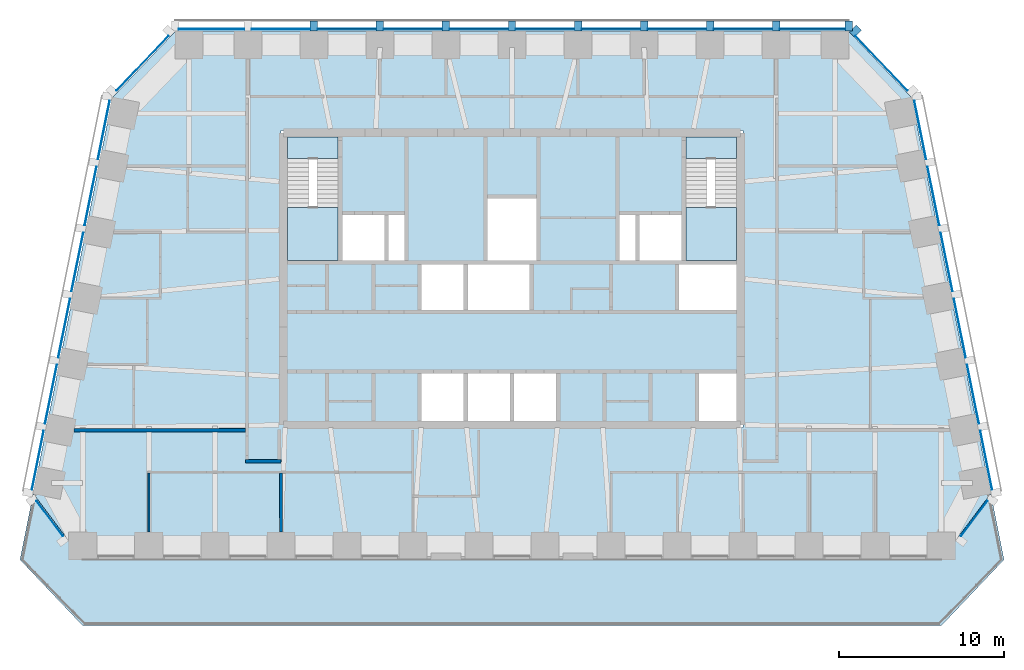
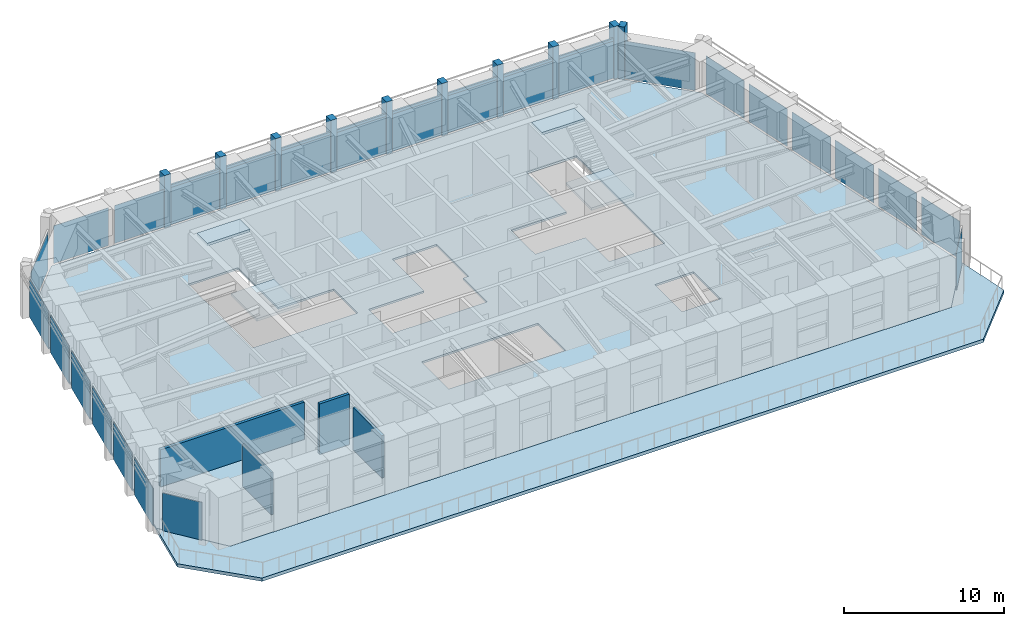
# One storey, part 3 of 10: 26 plates, 18 members, 6 slabs, 4 walls, 9 elements without a shape of their own.
"""IFC4 building model written with IfcOpenShell, lengths in metres."""

from ifc_helpers import new_model, si_unit, direction, frame, frame_2d, origin, origin_2d, place, context, subcontext, project, spatial, polyline, rectangle, outline, extrude, material, layer, layer_set, material_profile, profile_set, type_object, element, aggregate, save


model = new_model("IFC4")

# Units and contexts
model_context = context("Model", 3, precision=1e-05, world=origin(), true_north=direction((0.0, 1.0)))
body_context = subcontext(model_context, "Body", "Model", "MODEL_VIEW")
ifc_project = project(units=[si_unit("LENGTHUNIT", "METRE"), si_unit("AREAUNIT", "SQUARE_METRE"), si_unit("VOLUMEUNIT", "CUBIC_METRE"), si_unit("PLANEANGLEUNIT", "RADIAN"), si_unit("MASSUNIT", "GRAM", prefix="KILO")], contexts=[model_context])

# Site, building, storey
site_placement = place(None, origin())
site = spatial("IfcSite", under=ifc_project, at=site_placement, CompositionType="ELEMENT")
building_placement = place(site_placement, origin())
building = spatial("IfcBuilding", under=site, at=building_placement, Name="Isbrekke Arena Tower", CompositionType="ELEMENT")
storey_placement = place(building_placement, frame((0.0, 0.0, 296.0)))
storey = spatial("IfcBuildingStorey", under=building, at=storey_placement, Name="L69", CompositionType="ELEMENT", Elevation=296.0)

# Curtain wall, member
ifc_material_1 = material(Name="Glazed aluminium curtain wall", Category="aluminium")
curtain_wall_type = type_object("IfcCurtainWallType", Name="CWT TOWER CURTAIN WALL TOP ZONE", PredefinedType="USERDEFINED", material=ifc_material_1)
curtain_wall_1_placement = place(storey_placement, origin())
curtain_wall_1 = element("IfcCurtainWall", 1, at=curtain_wall_1_placement, inside=storey, type_object=curtain_wall_type, Name="CWT curtain wall L69-EN", ObjectType="TOWER CURTAIN WALL TOP ZONE", PredefinedType="USERDEFINED")
ifc_material_2 = material(Name="Copper-clad aluminium mullion", Category="aluminium")
ifc_material_profile_1 = material_profile(ifc_material_2, rectangle(XDim=0.449951171875, YDim=0.60009765625, at=origin_2d()), Name="PIER 450X600")
ifc_profile_set_1 = profile_set([ifc_material_profile_1], Name="Copper-clad aluminium mullion")
member_type_1 = type_object("IfcMemberType", Name="CWT-M PIER MULLION 450 x 600", PredefinedType="MULLION", material=ifc_profile_set_1)
member_1_placement = place(storey_placement, frame((20.795166015625, 30.019775390625, 0.0), z_axis=(0.0, 0.0, 1.0), x_axis=(-0.68874946192, 0.72499943359, 0.0)))
member_1 = element("IfcMember", 2, at=member_1_placement, type_object=member_type_1, Name="CWT-M mullion 2", PredefinedType="MULLION", context=body_context, shape_type="SweptSolid", body=[
    extrude(rectangle(XDim=0.449951171875, YDim=0.60009765625, at=origin_2d()), origin(), (0.0, 0.0, 1.0), 4.0),
])

# Curtain wall, members
curtain_wall_2_placement = place(storey_placement, origin())
curtain_wall_2 = element("IfcCurtainWall", 3, at=curtain_wall_2_placement, inside=storey, type_object=curtain_wall_type, Name="CWT curtain wall L69-N", ObjectType="TOWER CURTAIN WALL TOP ZONE", PredefinedType="USERDEFINED")
member_2_placement = place(storey_placement, frame((20.39990234375, 30.324951171875, 0.0), z_axis=(0.0, 0.0, 1.0), x_axis=(-1.0, 0.0, 0.0)))
member_2 = element("IfcMember", 4, at=member_2_placement, type_object=member_type_1, Name="CWT-M mullion 1", PredefinedType="MULLION", context=body_context, shape_type="SweptSolid", body=[
    extrude(rectangle(XDim=0.449951171875, YDim=0.60009765625, at=origin_2d()), origin(), (0.0, 0.0, 1.0), 4.0),
])
member_3_placement = place(storey_placement, frame((16.0, 30.324951171875, 0.0), z_axis=(0.0, 0.0, 1.0), x_axis=(-1.0, 0.0, 0.0)))
member_3 = element("IfcMember", 5, at=member_3_placement, type_object=member_type_1, Name="CWT-M mullion 2", PredefinedType="MULLION", context=body_context, shape_type="SweptSolid", body=[
    extrude(rectangle(XDim=0.449951171875, YDim=0.60009765625, at=origin_2d()), origin(), (0.0, 0.0, 1.0), 4.0),
])
member_4_placement = place(storey_placement, frame((12.0, 30.324951171875, 0.0), z_axis=(0.0, 0.0, 1.0), x_axis=(-1.0, 0.0, 0.0)))
member_4 = element("IfcMember", 6, at=member_4_placement, type_object=member_type_1, Name="CWT-M mullion 3", PredefinedType="MULLION", context=body_context, shape_type="SweptSolid", body=[
    extrude(rectangle(XDim=0.449951171875, YDim=0.60009765625, at=origin_2d()), origin(), (0.0, 0.0, 1.0), 4.0),
])
member_5_placement = place(storey_placement, frame((8.0, 30.324951171875, 0.0), z_axis=(0.0, 0.0, 1.0), x_axis=(-1.0, 0.0, 0.0)))
member_5 = element("IfcMember", 7, at=member_5_placement, type_object=member_type_1, Name="CWT-M mullion 4", PredefinedType="MULLION", context=body_context, shape_type="SweptSolid", body=[
    extrude(rectangle(XDim=0.449951171875, YDim=0.60009765625, at=origin_2d()), origin(), (0.0, 0.0, 1.0), 4.0),
])
member_6_placement = place(storey_placement, frame((4.0, 30.324951171875, 0.0), z_axis=(0.0, 0.0, 1.0), x_axis=(-1.0, 0.0, 0.0)))
member_6 = element("IfcMember", 8, at=member_6_placement, type_object=member_type_1, Name="CWT-M mullion 5", PredefinedType="MULLION", context=body_context, shape_type="SweptSolid", body=[
    extrude(rectangle(XDim=0.449951171875, YDim=0.60009765625, at=origin_2d()), origin(), (0.0, 0.0, 1.0), 4.0),
])
member_7_placement = place(storey_placement, frame((0.0, 30.324951171875, 0.0), z_axis=(0.0, 0.0, 1.0), x_axis=(-1.0, 0.0, 0.0)))
member_7 = element("IfcMember", 9, at=member_7_placement, type_object=member_type_1, Name="CWT-M mullion 6", PredefinedType="MULLION", context=body_context, shape_type="SweptSolid", body=[
    extrude(rectangle(XDim=0.449951171875, YDim=0.60009765625, at=origin_2d()), origin(), (0.0, 0.0, 1.0), 4.0),
])
member_8_placement = place(storey_placement, frame((-4.0, 30.324951171875, 0.0), z_axis=(0.0, 0.0, 1.0), x_axis=(-1.0, 0.0, 0.0)))
member_8 = element("IfcMember", 10, at=member_8_placement, type_object=member_type_1, Name="CWT-M mullion 7", PredefinedType="MULLION", context=body_context, shape_type="SweptSolid", body=[
    extrude(rectangle(XDim=0.449951171875, YDim=0.60009765625, at=origin_2d()), origin(), (0.0, 0.0, 1.0), 4.0),
])
member_9_placement = place(storey_placement, frame((-8.0, 30.324951171875, 0.0), z_axis=(0.0, 0.0, 1.0), x_axis=(-1.0, 0.0, 0.0)))
member_9 = element("IfcMember", 11, at=member_9_placement, type_object=member_type_1, Name="CWT-M mullion 8", PredefinedType="MULLION", context=body_context, shape_type="SweptSolid", body=[
    extrude(rectangle(XDim=0.449951171875, YDim=0.60009765625, at=origin_2d()), origin(), (0.0, 0.0, 1.0), 4.0),
])
member_10_placement = place(storey_placement, frame((-12.0, 30.324951171875, 0.0), z_axis=(0.0, 0.0, 1.0), x_axis=(-1.0, 0.0, 0.0)))
member_10 = element("IfcMember", 12, at=member_10_placement, type_object=member_type_1, Name="CWT-M mullion 9", PredefinedType="MULLION", context=body_context, shape_type="SweptSolid", body=[
    extrude(rectangle(XDim=0.449951171875, YDim=0.60009765625, at=origin_2d()), origin(), (0.0, 0.0, 1.0), 4.0),
])
ifc_material_3 = material(Name="Aluminium transom", Category="aluminium")
ifc_material_profile_2 = material_profile(ifc_material_3, rectangle(XDim=0.1201171875, YDim=0.199951171875, at=origin_2d()), Name="TRANSOM 120X200")
ifc_profile_set_2 = profile_set([ifc_material_profile_2], Name="Aluminium transom")
member_type_2 = type_object("IfcMemberType", Name="CWT-T TRANSOM 120 x 200", PredefinedType="USERDEFINED", material=ifc_profile_set_2)
member_11_placement = place(storey_placement, frame((20.175048828125, 30.125, 3.0), z_axis=(-1.0, 0.0, 0.0), x_axis=(0.0, -1.0, 0.0)))
member_11 = element("IfcMember", 13, at=member_11_placement, type_object=member_type_2, Name="CWT-T transom 1", ObjectType="TRANSOM", PredefinedType="USERDEFINED", context=body_context, shape_type="SweptSolid", body=[
    extrude(rectangle(XDim=0.1201171875, YDim=0.199951171875, at=origin_2d()), origin(), (0.0, 0.0, 1.0), 3.949951171875),
])
member_12_placement = place(storey_placement, frame((15.77490234375, 30.125, 3.0), z_axis=(-1.0, 0.0, 0.0), x_axis=(0.0, -1.0, 0.0)))
member_12 = element("IfcMember", 14, at=member_12_placement, type_object=member_type_2, Name="CWT-T transom 2", ObjectType="TRANSOM", PredefinedType="USERDEFINED", context=body_context, shape_type="SweptSolid", body=[
    extrude(rectangle(XDim=0.1201171875, YDim=0.199951171875, at=origin_2d()), origin(), (0.0, 0.0, 1.0), 3.5498046875),
])
member_13_placement = place(storey_placement, frame((11.77490234375, 30.125, 3.0), z_axis=(-1.0, 0.0, 0.0), x_axis=(0.0, -1.0, 0.0)))
member_13 = element("IfcMember", 15, at=member_13_placement, type_object=member_type_2, Name="CWT-T transom 3", ObjectType="TRANSOM", PredefinedType="USERDEFINED", context=body_context, shape_type="SweptSolid", body=[
    extrude(rectangle(XDim=0.1201171875, YDim=0.199951171875, at=origin_2d()), origin(), (0.0, 0.0, 1.0), 3.5498046875),
])
member_14_placement = place(storey_placement, frame((7.77490234375, 30.125, 3.0), z_axis=(-1.0, 0.0, 0.0), x_axis=(0.0, -1.0, 0.0)))
member_14 = element("IfcMember", 16, at=member_14_placement, type_object=member_type_2, Name="CWT-T transom 4", ObjectType="TRANSOM", PredefinedType="USERDEFINED", context=body_context, shape_type="SweptSolid", body=[
    extrude(rectangle(XDim=0.1201171875, YDim=0.199951171875, at=origin_2d()), origin(), (0.0, 0.0, 1.0), 3.5498046875),
])
member_15_placement = place(storey_placement, frame((3.77490234375, 30.125, 3.0), z_axis=(-1.0, 0.0, 0.0), x_axis=(0.0, -1.0, 0.0)))
member_15 = element("IfcMember", 17, at=member_15_placement, type_object=member_type_2, Name="CWT-T transom 5", ObjectType="TRANSOM", PredefinedType="USERDEFINED", context=body_context, shape_type="SweptSolid", body=[
    extrude(rectangle(XDim=0.1201171875, YDim=0.199951171875, at=origin_2d()), origin(), (0.0, 0.0, 1.0), 3.5498046875),
])
member_16_placement = place(storey_placement, frame((-0.22509765625, 30.125, 3.0), z_axis=(-1.0, 0.0, 0.0), x_axis=(0.0, -1.0, 0.0)))
member_16 = element("IfcMember", 18, at=member_16_placement, type_object=member_type_2, Name="CWT-T transom 6", ObjectType="TRANSOM", PredefinedType="USERDEFINED", context=body_context, shape_type="SweptSolid", body=[
    extrude(rectangle(XDim=0.1201171875, YDim=0.199951171875, at=origin_2d()), origin(), (0.0, 0.0, 1.0), 3.5498046875),
])
member_17_placement = place(storey_placement, frame((-4.22509765625, 30.125, 3.0), z_axis=(-1.0, 0.0, 0.0), x_axis=(0.0, -1.0, 0.0)))
member_17 = element("IfcMember", 19, at=member_17_placement, type_object=member_type_2, Name="CWT-T transom 7", ObjectType="TRANSOM", PredefinedType="USERDEFINED", context=body_context, shape_type="SweptSolid", body=[
    extrude(rectangle(XDim=0.1201171875, YDim=0.199951171875, at=origin_2d()), origin(), (0.0, 0.0, 1.0), 3.5498046875),
])
member_18_placement = place(storey_placement, frame((-8.22509765625, 30.125, 3.0), z_axis=(-1.0, 0.0, 0.0), x_axis=(0.0, -1.0, 0.0)))
member_18 = element("IfcMember", 20, at=member_18_placement, type_object=member_type_2, Name="CWT-T transom 8", ObjectType="TRANSOM", PredefinedType="USERDEFINED", context=body_context, shape_type="SweptSolid", body=[
    extrude(rectangle(XDim=0.1201171875, YDim=0.199951171875, at=origin_2d()), origin(), (0.0, 0.0, 1.0), 3.5498046875),
])

# Curtain wall, plate
curtain_wall_3_placement = place(storey_placement, origin())
curtain_wall_3 = element("IfcCurtainWall", 21, at=curtain_wall_3_placement, inside=storey, type_object=curtain_wall_type, Name="CWT curtain wall L69-SE", ObjectType="TOWER CURTAIN WALL TOP ZONE", PredefinedType="USERDEFINED")
ifc_material_4 = material(Name="Triple-glazed clear glass unit", Category="glass")
ifc_layer_1 = layer(ifc_material_4, 0.031982421875)
ifc_layer_set_1 = layer_set([ifc_layer_1], Name="CWT-P VISION PANEL")
plate_type = type_object("IfcPlateType", Name="CWT-P VISION PANEL", PredefinedType="CURTAIN_PANEL", material=ifc_layer_set_1)
plate_1_placement = place(storey_placement, frame((27.993896484375, 0.49169921875, 0.02001953125), z_axis=(0.0, 0.0, 1.0), x_axis=(0.600000000002, 0.799999999998, 0.0)))
plate_1 = element("IfcPlate", 22, at=plate_1_placement, type_object=plate_type, Name="CWT-P panel 1", PredefinedType="CURTAIN_PANEL", context=body_context, shape_type="SweptSolid", body=[
    extrude(rectangle(XDim=2.65283203125, YDim=0.031982421875, at=origin_2d()), origin(), (0.0, 0.0, 1.0), 2.8798828125),
])
aggregate(curtain_wall_3, [plate_1])

# Curtain wall, plates
curtain_wall_4_placement = place(storey_placement, origin())
curtain_wall_4 = element("IfcCurtainWall", 23, at=curtain_wall_4_placement, inside=storey, type_object=curtain_wall_type, Name="CWT curtain wall L69-E", ObjectType="TOWER CURTAIN WALL TOP ZONE", PredefinedType="USERDEFINED")
plate_2_placement = place(storey_placement, frame((28.72265625, 4.0244140625, 0.02001953125), z_axis=(0.0, 0.0, 1.0), x_axis=(-0.196116135138, 0.980580675691, 0.0)))
plate_2 = element("IfcPlate", 24, at=plate_2_placement, type_object=plate_type, Name="CWT-P panel 1", PredefinedType="CURTAIN_PANEL", context=body_context, shape_type="SweptSolid", body=[
    extrude(rectangle(XDim=3.629150390625, YDim=0.031982421875, at=origin_2d()), origin(), (0.0, 0.0, 1.0), 2.8798828125),
])
plate_3_placement = place(storey_placement, frame((27.922607421875, 8.0244140625, 0.02001953125), z_axis=(0.0, 0.0, 1.0), x_axis=(-0.196116135138, 0.980580675691, 0.0)))
plate_3 = element("IfcPlate", 25, at=plate_3_placement, type_object=plate_type, Name="CWT-P panel 2", PredefinedType="CURTAIN_PANEL", context=body_context, shape_type="SweptSolid", body=[
    extrude(rectangle(XDim=3.629150390625, YDim=0.031982421875, at=origin_2d()), origin(), (0.0, 0.0, 1.0), 2.8798828125),
])
plate_4_placement = place(storey_placement, frame((27.12255859375, 12.0244140625, 0.02001953125), z_axis=(0.0, 0.0, 1.0), x_axis=(-0.196116135138, 0.980580675691, 0.0)))
plate_4 = element("IfcPlate", 26, at=plate_4_placement, type_object=plate_type, Name="CWT-P panel 3", PredefinedType="CURTAIN_PANEL", context=body_context, shape_type="SweptSolid", body=[
    extrude(rectangle(XDim=3.629150390625, YDim=0.031982421875, at=origin_2d()), origin(), (0.0, 0.0, 1.0), 2.8798828125),
])
plate_5_placement = place(storey_placement, frame((26.322509765625, 16.0244140625, 0.02001953125), z_axis=(0.0, 0.0, 1.0), x_axis=(-0.196116135138, 0.980580675691, 0.0)))
plate_5 = element("IfcPlate", 27, at=plate_5_placement, type_object=plate_type, Name="CWT-P panel 4", PredefinedType="CURTAIN_PANEL", context=body_context, shape_type="SweptSolid", body=[
    extrude(rectangle(XDim=3.629150390625, YDim=0.031982421875, at=origin_2d()), origin(), (0.0, 0.0, 1.0), 2.8798828125),
])
plate_6_placement = place(storey_placement, frame((25.5224609375, 20.0244140625, 0.02001953125), z_axis=(0.0, 0.0, 1.0), x_axis=(-0.196116135138, 0.980580675691, 0.0)))
plate_6 = element("IfcPlate", 28, at=plate_6_placement, type_object=plate_type, Name="CWT-P panel 5", PredefinedType="CURTAIN_PANEL", context=body_context, shape_type="SweptSolid", body=[
    extrude(rectangle(XDim=3.629150390625, YDim=0.031982421875, at=origin_2d()), origin(), (0.0, 0.0, 1.0), 2.8798828125),
])
plate_7_placement = place(storey_placement, frame((24.72265625, 24.0244140625, 0.02001953125), z_axis=(0.0, 0.0, 1.0), x_axis=(-0.196116135138, 0.980580675691, 0.0)))
plate_7 = element("IfcPlate", 29, at=plate_7_placement, type_object=plate_type, Name="CWT-P panel 6", PredefinedType="CURTAIN_PANEL", context=body_context, shape_type="SweptSolid", body=[
    extrude(rectangle(XDim=3.629150390625, YDim=0.031982421875, at=origin_2d()), origin(), (0.0, 0.0, 1.0), 2.8798828125),
])
aggregate(curtain_wall_4, [plate_2, plate_3, plate_4, plate_5, plate_6, plate_7])

# Plate
plate_8_placement = place(storey_placement, frame((22.374755859375, 28.06640625, 0.02001953125), z_axis=(0.0, 0.0, 1.0), x_axis=(-0.68874946192, 0.72499943359, 0.0)))
plate_8 = element("IfcPlate", 30, at=plate_8_placement, type_object=plate_type, Name="CWT-P panel 1", PredefinedType="CURTAIN_PANEL", context=body_context, shape_type="SweptSolid", body=[
    extrude(rectangle(XDim=4.558349609375, YDim=0.031982421875, at=origin_2d()), origin(), (0.0, 0.0, 1.0), 2.8798828125),
])

aggregate(curtain_wall_1, [member_1, plate_8])

plate_9_placement = place(storey_placement, frame((18.199951171875, 30.125, 0.02001953125), z_axis=(0.0, 0.0, 1.0), x_axis=(-1.0, 0.0, 0.0)))
plate_9 = element("IfcPlate", 31, at=plate_9_placement, type_object=plate_type, Name="CWT-P panel 1", PredefinedType="CURTAIN_PANEL", context=body_context, shape_type="SweptSolid", body=[
    extrude(rectangle(XDim=3.949951171875, YDim=0.031982421875, at=origin_2d()), origin(), (0.0, 0.0, 1.0), 2.8798828125),
])

plate_10_placement = place(storey_placement, frame((14.0, 30.125, 0.02001953125), z_axis=(0.0, 0.0, 1.0), x_axis=(-1.0, 0.0, 0.0)))
plate_10 = element("IfcPlate", 32, at=plate_10_placement, type_object=plate_type, Name="CWT-P panel 2", PredefinedType="CURTAIN_PANEL", context=body_context, shape_type="SweptSolid", body=[
    extrude(rectangle(XDim=3.550048828125, YDim=0.031982421875, at=origin_2d()), origin(), (0.0, 0.0, 1.0), 2.8798828125),
])

plate_11_placement = place(storey_placement, frame((10.0, 30.125, 0.02001953125), z_axis=(0.0, 0.0, 1.0), x_axis=(-1.0, 0.0, 0.0)))
plate_11 = element("IfcPlate", 33, at=plate_11_placement, type_object=plate_type, Name="CWT-P panel 3", PredefinedType="CURTAIN_PANEL", context=body_context, shape_type="SweptSolid", body=[
    extrude(rectangle(XDim=3.550048828125, YDim=0.031982421875, at=origin_2d()), origin(), (0.0, 0.0, 1.0), 2.8798828125),
])

plate_12_placement = place(storey_placement, frame((6.0, 30.125, 0.02001953125), z_axis=(0.0, 0.0, 1.0), x_axis=(-1.0, 0.0, 0.0)))
plate_12 = element("IfcPlate", 34, at=plate_12_placement, type_object=plate_type, Name="CWT-P panel 4", PredefinedType="CURTAIN_PANEL", context=body_context, shape_type="SweptSolid", body=[
    extrude(rectangle(XDim=3.550048828125, YDim=0.031982421875, at=origin_2d()), origin(), (0.0, 0.0, 1.0), 2.8798828125),
])

plate_13_placement = place(storey_placement, frame((2.0, 30.125, 0.02001953125), z_axis=(0.0, 0.0, 1.0), x_axis=(-1.0, 0.0, 0.0)))
plate_13 = element("IfcPlate", 35, at=plate_13_placement, type_object=plate_type, Name="CWT-P panel 5", PredefinedType="CURTAIN_PANEL", context=body_context, shape_type="SweptSolid", body=[
    extrude(rectangle(XDim=3.550048828125, YDim=0.031982421875, at=origin_2d()), origin(), (0.0, 0.0, 1.0), 2.8798828125),
])

plate_14_placement = place(storey_placement, frame((-2.0, 30.125, 0.02001953125), z_axis=(0.0, 0.0, 1.0), x_axis=(-1.0, 0.0, 0.0)))
plate_14 = element("IfcPlate", 36, at=plate_14_placement, type_object=plate_type, Name="CWT-P panel 6", PredefinedType="CURTAIN_PANEL", context=body_context, shape_type="SweptSolid", body=[
    extrude(rectangle(XDim=3.550048828125, YDim=0.031982421875, at=origin_2d()), origin(), (0.0, 0.0, 1.0), 2.8798828125),
])

plate_15_placement = place(storey_placement, frame((-6.0, 30.125, 0.02001953125), z_axis=(0.0, 0.0, 1.0), x_axis=(-1.0, 0.0, 0.0)))
plate_15 = element("IfcPlate", 37, at=plate_15_placement, type_object=plate_type, Name="CWT-P panel 7", PredefinedType="CURTAIN_PANEL", context=body_context, shape_type="SweptSolid", body=[
    extrude(rectangle(XDim=3.550048828125, YDim=0.031982421875, at=origin_2d()), origin(), (0.0, 0.0, 1.0), 2.8798828125),
])

plate_16_placement = place(storey_placement, frame((-10.0, 30.125, 0.02001953125), z_axis=(0.0, 0.0, 1.0), x_axis=(-1.0, 0.0, 0.0)))
plate_16 = element("IfcPlate", 38, at=plate_16_placement, type_object=plate_type, Name="CWT-P panel 8", PredefinedType="CURTAIN_PANEL", context=body_context, shape_type="SweptSolid", body=[
    extrude(rectangle(XDim=3.550048828125, YDim=0.031982421875, at=origin_2d()), origin(), (0.0, 0.0, 1.0), 2.8798828125),
])

plate_17_placement = place(storey_placement, frame((-14.0, 30.125, 0.02001953125), z_axis=(0.0, 0.0, 1.0), x_axis=(-1.0, 0.0, 0.0)))
plate_17 = element("IfcPlate", 39, at=plate_17_placement, type_object=plate_type, Name="CWT-P panel 9", PredefinedType="CURTAIN_PANEL", context=body_context, shape_type="SweptSolid", body=[
    extrude(rectangle(XDim=3.550048828125, YDim=0.031982421875, at=origin_2d()), origin(), (0.0, 0.0, 1.0), 2.8798828125),
])

plate_18_placement = place(storey_placement, frame((-18.199951171875, 30.125, 0.02001953125), z_axis=(0.0, 0.0, 1.0), x_axis=(-1.0, 0.0, 0.0)))
plate_18 = element("IfcPlate", 40, at=plate_18_placement, type_object=plate_type, Name="CWT-P panel 10", PredefinedType="CURTAIN_PANEL", context=body_context, shape_type="SweptSolid", body=[
    extrude(rectangle(XDim=3.949951171875, YDim=0.031982421875, at=origin_2d()), origin(), (0.0, 0.0, 1.0), 2.8798828125),
])

aggregate(curtain_wall_2, [member_2, member_3, member_4, member_5, member_6, member_7, member_8, member_9, member_10, member_11, plate_9, member_12, plate_10, member_13, plate_11, member_14, plate_12, member_15, plate_13, member_16, plate_14, member_17, plate_15, member_18, plate_16, plate_17, plate_18])

# Curtain wall, plate
curtain_wall_5_placement = place(storey_placement, origin())
curtain_wall_5 = element("IfcCurtainWall", 41, at=curtain_wall_5_placement, inside=storey, type_object=curtain_wall_type, Name="CWT curtain wall L69-NW", ObjectType="TOWER CURTAIN WALL TOP ZONE", PredefinedType="USERDEFINED")
plate_19_placement = place(storey_placement, frame((-22.37451171875, 28.066650390625, 0.02001953125), z_axis=(0.0, 0.0, 1.0), x_axis=(-0.68874946192, -0.72499943359, 0.0)))
plate_19 = element("IfcPlate", 42, at=plate_19_placement, type_object=plate_type, Name="CWT-P panel 1", PredefinedType="CURTAIN_PANEL", context=body_context, shape_type="SweptSolid", body=[
    extrude(rectangle(XDim=4.557373046875, YDim=0.031982421875, at=origin_2d()), origin(), (0.0, 0.0, 1.0), 2.8798828125),
])
aggregate(curtain_wall_5, [plate_19])

# Curtain wall, plates
curtain_wall_6_placement = place(storey_placement, origin())
curtain_wall_6 = element("IfcCurtainWall", 43, at=curtain_wall_6_placement, inside=storey, type_object=curtain_wall_type, Name="CWT curtain wall L69-W", ObjectType="TOWER CURTAIN WALL TOP ZONE", PredefinedType="USERDEFINED")
plate_20_placement = place(storey_placement, frame((-24.72265625, 24.0244140625, 0.02001953125), z_axis=(0.0, 0.0, 1.0), x_axis=(-0.196116135138, -0.980580675691, 0.0)))
plate_20 = element("IfcPlate", 44, at=plate_20_placement, type_object=plate_type, Name="CWT-P panel 1", PredefinedType="CURTAIN_PANEL", context=body_context, shape_type="SweptSolid", body=[
    extrude(rectangle(XDim=3.629150390625, YDim=0.031982421875, at=origin_2d()), origin(), (0.0, 0.0, 1.0), 2.8798828125),
])
plate_21_placement = place(storey_placement, frame((-25.5224609375, 20.0244140625, 0.02001953125), z_axis=(0.0, 0.0, 1.0), x_axis=(-0.196116135138, -0.980580675691, 0.0)))
plate_21 = element("IfcPlate", 45, at=plate_21_placement, type_object=plate_type, Name="CWT-P panel 2", PredefinedType="CURTAIN_PANEL", context=body_context, shape_type="SweptSolid", body=[
    extrude(rectangle(XDim=3.629150390625, YDim=0.031982421875, at=origin_2d()), origin(), (0.0, 0.0, 1.0), 2.8798828125),
])
plate_22_placement = place(storey_placement, frame((-26.322509765625, 16.0244140625, 0.02001953125), z_axis=(0.0, 0.0, 1.0), x_axis=(-0.196116135138, -0.980580675691, 0.0)))
plate_22 = element("IfcPlate", 46, at=plate_22_placement, type_object=plate_type, Name="CWT-P panel 3", PredefinedType="CURTAIN_PANEL", context=body_context, shape_type="SweptSolid", body=[
    extrude(rectangle(XDim=3.629150390625, YDim=0.031982421875, at=origin_2d()), origin(), (0.0, 0.0, 1.0), 2.8798828125),
])
plate_23_placement = place(storey_placement, frame((-27.12255859375, 12.0244140625, 0.02001953125), z_axis=(0.0, 0.0, 1.0), x_axis=(-0.196116135138, -0.980580675691, 0.0)))
plate_23 = element("IfcPlate", 47, at=plate_23_placement, type_object=plate_type, Name="CWT-P panel 4", PredefinedType="CURTAIN_PANEL", context=body_context, shape_type="SweptSolid", body=[
    extrude(rectangle(XDim=3.629150390625, YDim=0.031982421875, at=origin_2d()), origin(), (0.0, 0.0, 1.0), 2.8798828125),
])
plate_24_placement = place(storey_placement, frame((-27.922607421875, 8.0244140625, 0.02001953125), z_axis=(0.0, 0.0, 1.0), x_axis=(-0.196116135138, -0.980580675691, 0.0)))
plate_24 = element("IfcPlate", 48, at=plate_24_placement, type_object=plate_type, Name="CWT-P panel 5", PredefinedType="CURTAIN_PANEL", context=body_context, shape_type="SweptSolid", body=[
    extrude(rectangle(XDim=3.629150390625, YDim=0.031982421875, at=origin_2d()), origin(), (0.0, 0.0, 1.0), 2.8798828125),
])
plate_25_placement = place(storey_placement, frame((-28.72265625, 4.0244140625, 0.02001953125), z_axis=(0.0, 0.0, 1.0), x_axis=(-0.196116135138, -0.980580675691, 0.0)))
plate_25 = element("IfcPlate", 49, at=plate_25_placement, type_object=plate_type, Name="CWT-P panel 6", PredefinedType="CURTAIN_PANEL", context=body_context, shape_type="SweptSolid", body=[
    extrude(rectangle(XDim=3.629150390625, YDim=0.031982421875, at=origin_2d()), origin(), (0.0, 0.0, 1.0), 2.8798828125),
])
aggregate(curtain_wall_6, [plate_20, plate_21, plate_22, plate_23, plate_24, plate_25])

# Curtain wall, plate
curtain_wall_7_placement = place(storey_placement, origin())
curtain_wall_7 = element("IfcCurtainWall", 50, at=curtain_wall_7_placement, inside=storey, type_object=curtain_wall_type, Name="CWT curtain wall L69-WS", ObjectType="TOWER CURTAIN WALL TOP ZONE", PredefinedType="USERDEFINED")
plate_26_placement = place(storey_placement, frame((-27.993408203125, 0.4912109375, 0.02001953125), z_axis=(0.0, 0.0, 1.0), x_axis=(0.600000000002, -0.799999999998, 0.0)))
plate_26 = element("IfcPlate", 51, at=plate_26_placement, type_object=plate_type, Name="CWT-P panel 1", PredefinedType="CURTAIN_PANEL", context=body_context, shape_type="SweptSolid", body=[
    extrude(rectangle(XDim=2.653564453125, YDim=0.031982421875, at=origin_2d()), origin(), (0.0, 0.0, 1.0), 2.8798828125),
])
aggregate(curtain_wall_7, [plate_26])

# Slab
ifc_material_5 = material(Name="Concrete B35 (C35/45)", Category="concrete")
ifc_layer_2 = layer(ifc_material_5, 0.14990234375)
ifc_layer_set_2 = layer_set([ifc_layer_2], Name="FS1 COMPOSITE FLOOR 150")
slab_type_1 = type_object("IfcSlabType", Name="FS1 COMPOSITE FLOOR 150", PredefinedType="FLOOR", material=ifc_layer_set_2)
slab_1_placement = place(storey_placement, frame((0.0, 0.0, -0.14990234375)))
element("IfcSlab", 52, at=slab_1_placement, inside=storey, type_object=slab_type_1, Name="FS1 floor slab L69", PredefinedType="FLOOR", context=body_context, shape_type="SweptSolid", body=[
    extrude(outline(polyline([(-26.0, -2.0), (26.0, -2.0), (29.0, 2.0), (24.199951171875, 26.0), (20.39990234375, 30.0), (-20.39990234375, 30.0), (-24.199951171875, 26.0), (-29.0, 2.0), (-26.0, -2.0)]), holes=[polyline([(2.800048828125, 9.39990234375), (2.800048828125, 6.0), (-5.60009765625, 6.0), (-5.60009765625, 9.39990234375), (2.800048828125, 9.39990234375)]), polyline([(11.199951171875, 6.0), (11.199951171875, 9.39990234375), (14.0, 9.39990234375), (14.0, 6.0), (11.199951171875, 6.0)]), polyline([(-5.60009765625, 13.0), (-5.60009765625, 16.0), (-1.60009765625, 16.0), (-1.60009765625, 20.0), (1.60009765625, 20.0), (1.60009765625, 16.0), (1.199951171875, 16.0), (1.199951171875, 13.0), (-5.60009765625, 13.0)]), polyline([(14.0, 13.0), (10.0, 13.0), (10.0, 16.0), (6.39990234375, 16.0), (6.39990234375, 19.0), (10.39990234375, 19.0), (10.39990234375, 24.0), (14.0, 24.0), (14.0, 13.0)]), polyline([(-6.39990234375, 19.0), (-6.39990234375, 16.0), (-14.0, 16.0), (-14.0, 24.0), (-10.39990234375, 24.0), (-10.39990234375, 19.0), (-6.39990234375, 19.0)])]), origin(), (0.0, 0.0, 1.0), 0.14990234375),
])

# Stair, slabs
ifc_material_6 = material(Name="Concrete B45 (C45/55) precast", Category="concrete")
stair_type = type_object("IfcStairType", Name="ST40 STAIR 1300 WIDE, 24 RISERS 167", PredefinedType="HALF_TURN_STAIR", material=ifc_material_6)
stair_1_placement = place(storey_placement, origin())
stair_1 = element("IfcStair", 53, at=stair_1_placement, inside=storey, type_object=stair_type, Name="ST1 stair L69", PredefinedType="HALF_TURN_STAIR")
ifc_material_7 = material(Name="Concrete B35 (C35/45)", Category="concrete")
ifc_layer_3 = layer(ifc_material_7, 0.199951171875)
ifc_layer_set_3 = layer_set([ifc_layer_3], Name="SL1 STAIR LANDING 200")
slab_type_2 = type_object("IfcSlabType", Name="SL1 STAIR LANDING 200", PredefinedType="LANDING", material=ifc_layer_set_3)
slab_2_placement = place(storey_placement, frame((0.0, 0.0, 1.800048828125)))
slab_2 = element("IfcSlab", 54, at=slab_2_placement, type_object=slab_type_2, Name="ST1 landing 1", PredefinedType="LANDING", context=body_context, shape_type="SweptSolid", body=[
    extrude(outline(polyline([(-13.60009765625, 16.125), (-10.52490234375, 16.125), (-10.52490234375, 19.330078125), (-13.60009765625, 19.330078125), (-13.60009765625, 16.125)])), origin(), (0.0, 0.0, 1.0), 0.199951171875),
])
slab_3_placement = place(storey_placement, frame((0.0, 0.0, 3.800048828125)))
slab_3 = element("IfcSlab", 55, at=slab_3_placement, type_object=slab_type_2, Name="ST1 landing 2", PredefinedType="LANDING", context=body_context, shape_type="SweptSolid", body=[
    extrude(outline(polyline([(-13.60009765625, 22.300048828125), (-10.52490234375, 22.300048828125), (-10.52490234375, 23.60009765625), (-13.60009765625, 23.60009765625), (-13.60009765625, 22.300048828125)])), origin(), (0.0, 0.0, 1.0), 0.199951171875),
])
aggregate(stair_1, [slab_2, slab_3])

stair_2_placement = place(storey_placement, origin())
stair_2 = element("IfcStair", 56, at=stair_2_placement, inside=storey, type_object=stair_type, Name="ST2 stair L69", PredefinedType="HALF_TURN_STAIR")
slab_4_placement = place(storey_placement, frame((0.0, 0.0, 1.800048828125)))
slab_4 = element("IfcSlab", 57, at=slab_4_placement, type_object=slab_type_2, Name="ST2 landing 1", PredefinedType="LANDING", context=body_context, shape_type="SweptSolid", body=[
    extrude(outline(polyline([(10.52490234375, 16.125), (13.60009765625, 16.125), (13.60009765625, 19.330078125), (10.52490234375, 19.330078125), (10.52490234375, 16.125)])), origin(), (0.0, 0.0, 1.0), 0.199951171875),
])
slab_5_placement = place(storey_placement, frame((0.0, 0.0, 3.800048828125)))
slab_5 = element("IfcSlab", 58, at=slab_5_placement, type_object=slab_type_2, Name="ST2 landing 2", PredefinedType="LANDING", context=body_context, shape_type="SweptSolid", body=[
    extrude(outline(polyline([(10.52490234375, 22.300048828125), (13.60009765625, 22.300048828125), (13.60009765625, 23.60009765625), (10.52490234375, 23.60009765625), (10.52490234375, 22.300048828125)])), origin(), (0.0, 0.0, 1.0), 0.199951171875),
])
aggregate(stair_2, [slab_4, slab_5])

# Slab
ifc_material_8 = material(Name="Concrete B35 (C35/45)", Category="concrete")
ifc_layer_4 = layer(ifc_material_8, 0.25)
ifc_layer_set_4 = layer_set([ifc_layer_4], Name="TS1 TERRACE SLAB 250")
slab_type_3 = type_object("IfcSlabType", Name="TS1 TERRACE SLAB 250", PredefinedType="FLOOR", material=ifc_layer_set_4)
slab_6_placement = place(storey_placement, frame((0.0, 0.0, -0.25)))
element("IfcSlab", 59, at=slab_6_placement, inside=storey, type_object=slab_type_3, Name="TS1 terrace slab L69", PredefinedType="FLOOR", context=body_context, shape_type="SweptSolid", body=[
    extrude(outline(polyline([(-26.0, -6.0), (26.0, -6.0), (29.800048828125, -2.0), (29.0, 2.0), (26.0, -2.0), (-26.0, -2.0), (-29.0, 2.0), (-29.800048828125, -2.0), (-26.0, -6.0)])), origin(), (0.0, 0.0, 1.0), 0.25),
])

# Walls
ifc_material_9 = material(Name="Frameless glazed partition, laminated acoustic glass", Category="glass")
ifc_layer_5 = layer(ifc_material_9, 0.1201171875)
ifc_layer_set_5 = layer_set([ifc_layer_5], Name="IW2 GLAZED PARTITION 120")
wall_type_1 = type_object("IfcWallType", Name="IW2 GLAZED PARTITION 120", PredefinedType="PARTITIONING", material=ifc_layer_set_5)
wall_1_placement = place(storey_placement, frame((-22.0, -0.324951171875, 0.0), z_axis=(0.0, 0.0, 1.0), x_axis=(0.0, 1.0, 0.0)))
element("IfcWall", 60, at=wall_1_placement, inside=storey, type_object=wall_type_1, Name="IW2 glazed partition 120 L69", PredefinedType="PARTITIONING", context=body_context, shape_type="SweptSolid", body=[
    extrude(rectangle(XDim=3.56494140625, YDim=0.1201171875, at=frame_2d((1.782470703125, 0.0))), origin(), (0.0, 0.0, 1.0), 3.22998046875),
])
ifc_material_10 = material(Name="Gypsum board fire-cell wall on steel studs, two layers each side", Category="steel")
ifc_layer_6 = layer(ifc_material_10, 0.199951171875)
ifc_layer_set_6 = layer_set([ifc_layer_6], Name="IW3 FIRE-CELL WALL 200")
wall_type_2 = type_object("IfcWallType", Name="IW3 FIRE-CELL WALL 200", PredefinedType="PARTITIONING", material=ifc_layer_set_6)
wall_2_placement = place(storey_placement, frame((-16.14990234375, 3.949951171875, 0.0), z_axis=(0.0, 0.0, 1.0), x_axis=(1.0, 0.0, 0.0)))
element("IfcWall", 61, at=wall_2_placement, inside=storey, type_object=wall_type_2, Name="IW3 fire-cell wall 200 L69", PredefinedType="PARTITIONING", context=body_context, shape_type="SweptSolid", body=[
    extrude(rectangle(XDim=2.14990234375, YDim=0.199951171875, at=frame_2d((1.074951171875, 0.0))), origin(), (0.0, 0.0, 1.0), 3.85009765625),
])
wall_3_placement = place(storey_placement, frame((-26.523681640625, 5.840087890625, 0.0), z_axis=(0.0, 0.0, 1.0), x_axis=(1.0, 0.0, 0.0)))
element("IfcWall", 62, at=wall_3_placement, inside=storey, type_object=wall_type_2, Name="IW3 fire-cell wall 200 L69", PredefinedType="PARTITIONING", context=body_context, shape_type="SweptSolid", body=[
    extrude(rectangle(XDim=10.373779296875, YDim=0.199951171875, at=frame_2d((5.18701171875, 0.0))), origin(), (0.0, 0.0, 1.0), 2.842041015625),
])
ifc_material_11 = material(Name="Gypsum board acoustic partition on twin steel studs", Category="steel")
ifc_layer_7 = layer(ifc_material_11, 0.175048828125)
ifc_layer_set_7 = layer_set([ifc_layer_7], Name="IW4 ACOUSTIC PARTITION 175")
wall_type_3 = type_object("IfcWallType", Name="IW4 ACOUSTIC PARTITION 175", PredefinedType="PARTITIONING", material=ifc_layer_set_7)
wall_4_placement = place(storey_placement, frame((-14.0, -0.324951171875, 0.0), z_axis=(0.0, 0.0, 1.0), x_axis=(0.0, 1.0, 0.0)))
element("IfcWall", 63, at=wall_4_placement, inside=storey, type_object=wall_type_3, Name="IW4 acoustic partition 175 L69", PredefinedType="PARTITIONING", context=body_context, shape_type="SweptSolid", body=[
    extrude(rectangle(XDim=3.56494140625, YDim=0.175048828125, at=frame_2d((1.782470703125, 0.0))), origin(), (0.0, 0.0, 1.0), 3.22998046875),
])

save(model, "model.ifc")
